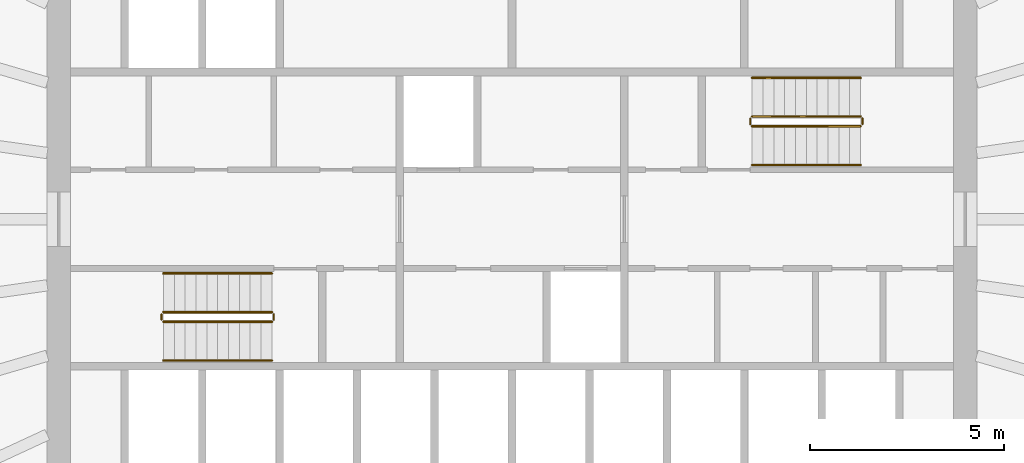
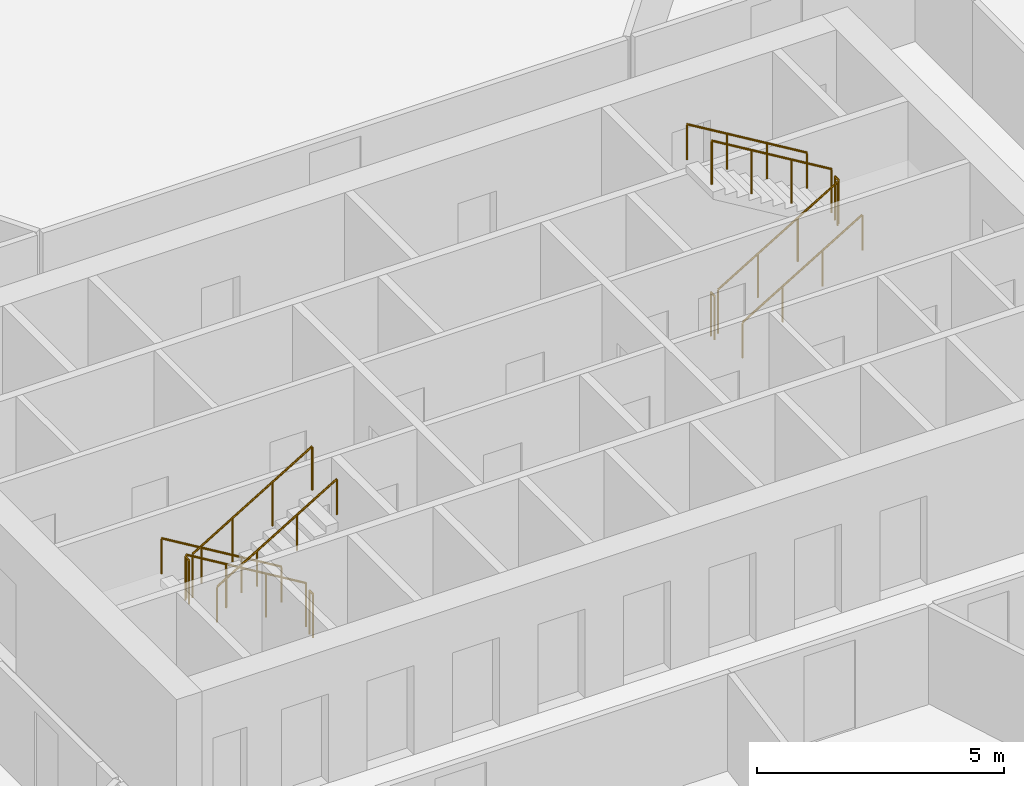
# One storey, part 11 of 11: 12 railings.
"""IFC4 building model written with IfcOpenShell, lengths in metres."""

from ifc_helpers import new_model, si_unit, direction, frame, origin, origin_2d, place, context, subcontext, project, spatial, circle, extrude, material, type_object, element, save


model = new_model("IFC4")

# Units and contexts
model_context = context("Model", 3, precision=1e-05, world=origin(), true_north=direction((0.0, 1.0)))
body_context = subcontext(model_context, "Body", "Model", "MODEL_VIEW")
ifc_project = project(units=[si_unit("LENGTHUNIT", "METRE"), si_unit("AREAUNIT", "SQUARE_METRE"), si_unit("VOLUMEUNIT", "CUBIC_METRE"), si_unit("PLANEANGLEUNIT", "RADIAN"), si_unit("MASSUNIT", "GRAM", prefix="KILO")], contexts=[model_context])

# Site, building, storey
site_placement = place(None, origin())
site = spatial("IfcSite", under=ifc_project, at=site_placement, CompositionType="ELEMENT")
building_placement = place(site_placement, origin())
building = spatial("IfcBuilding", under=site, at=building_placement, Name="Siaravel Broadcast Tower", CompositionType="ELEMENT")
storey_placement = place(building_placement, frame((0.0, 0.0, 77.800048828125)))
storey = spatial("IfcBuildingStorey", under=building, at=storey_placement, Name="L18", CompositionType="ELEMENT", Elevation=77.800048828125)

# Railings
ifc_material = material(Name="Stainless steel 316L", Category="steel")
railing_type_1 = type_object("IfcRailingType", Name="Stair guard 1100", PredefinedType="GUARDRAIL", material=ifc_material)
railing_1_placement = place(storey_placement, frame((-6.199951171875, -2.39990234375, 0.168212890625)))
element("IfcRailing", 1, at=railing_1_placement, inside=storey, type_object=railing_type_1, Name="L18 ST-1 stair guard 1", PredefinedType="GUARDRAIL", context=body_context, shape_type="SweptSolid", body=[
    extrude(circle(Radius=0.02392578125, at=origin_2d()), frame((0.0, 0.0, 1.076171875), z_axis=(-0.857275203, 0.0, 0.514858453), x_axis=(0.0, -1.0, 0.0)), (0.0, 0.0, 1.0), 3.26611328125),
    extrude(circle(Radius=0.02099609375, at=origin_2d()), origin(), (0.0, 0.0, 1.0), 1.052001953125),
    extrude(circle(Radius=0.02099609375, at=origin_2d()), frame((-0.933349609375, 0.0, 0.560546875)), (0.0, 0.0, 1.0), 1.052001953125),
    extrude(circle(Radius=0.02099609375, at=origin_2d()), frame((-1.86669921875, 0.0, 1.12109375)), (0.0, 0.0, 1.0), 1.052001953125),
    extrude(circle(Radius=0.02099609375, at=origin_2d()), frame((-2.800048828125, 0.0, 1.681640625)), (0.0, 0.0, 1.0), 1.052001953125),
])
railing_2_placement = place(storey_placement, frame((-9.050048828125, -2.449951171875, 1.849853515625)))
element("IfcRailing", 2, at=railing_2_placement, inside=storey, type_object=railing_type_1, Name="L18 ST-1 stair guard 2", PredefinedType="GUARDRAIL", context=body_context, shape_type="SweptSolid", body=[
    extrude(circle(Radius=0.02392578125, at=origin_2d()), frame((0.0, 0.0, 1.076171875), z_axis=(0.0, -1.0, 0.0), x_axis=(1.0, 0.0, 0.0)), (0.0, 0.0, 1.0), 0.150146484375),
    extrude(circle(Radius=0.02099609375, at=origin_2d()), origin(), (0.0, 0.0, 1.0), 1.052001953125),
    extrude(circle(Radius=0.02099609375, at=origin_2d()), frame((0.0, -0.150146484375, 0.0)), (0.0, 0.0, 1.0), 1.052001953125),
])
railing_3_placement = place(storey_placement, frame((-9.0, -2.64990234375, 2.01806640625)))
element("IfcRailing", 3, at=railing_3_placement, inside=storey, type_object=railing_type_1, Name="L18 ST-1 stair guard 3", PredefinedType="GUARDRAIL", context=body_context, shape_type="SweptSolid", body=[
    extrude(circle(Radius=0.02392578125, at=origin_2d()), frame((0.0, 0.0, 1.076171875), z_axis=(0.857242211, 0.0, 0.514913383), x_axis=(0.0, 1.0, 0.0)), (0.0, 0.0, 1.0), 3.266357421875),
    extrude(circle(Radius=0.02099609375, at=origin_2d()), origin(), (0.0, 0.0, 1.0), 1.052001953125),
    extrude(circle(Radius=0.02099609375, at=origin_2d()), frame((0.933349609375, 0.0, 0.560546875)), (0.0, 0.0, 1.0), 1.052001953125),
    extrude(circle(Radius=0.02099609375, at=origin_2d()), frame((1.86669921875, 0.0, 1.121337890625)), (0.0, 0.0, 1.0), 1.052001953125),
    extrude(circle(Radius=0.02099609375, at=origin_2d()), frame((2.800048828125, 0.0, 1.681884765625)), (0.0, 0.0, 1.0), 1.052001953125),
])
railing_4_placement = place(storey_placement, frame((-6.14990234375, -2.449951171875, 0.0)))
element("IfcRailing", 4, at=railing_4_placement, inside=storey, type_object=railing_type_1, Name="L18 ST-1 stair guard 4", PredefinedType="GUARDRAIL", context=body_context, shape_type="SweptSolid", body=[
    extrude(circle(Radius=0.02392578125, at=origin_2d()), frame((0.0, 0.0, 1.076171875), z_axis=(0.0, -1.0, 0.0), x_axis=(1.0, 0.0, 0.0)), (0.0, 0.0, 1.0), 0.150146484375),
    extrude(circle(Radius=0.02099609375, at=origin_2d()), origin(), (0.0, 0.0, 1.0), 1.052001953125),
    extrude(circle(Radius=0.02099609375, at=origin_2d()), frame((0.0, -0.150146484375, 0.0)), (0.0, 0.0, 1.0), 1.052001953125),
])
railing_5_placement = place(storey_placement, frame((6.199951171875, 2.39990234375, 0.168212890625)))
element("IfcRailing", 5, at=railing_5_placement, inside=storey, type_object=railing_type_1, Name="L18 ST-2 stair guard 1", PredefinedType="GUARDRAIL", context=body_context, shape_type="SweptSolid", body=[
    extrude(circle(Radius=0.02392578125, at=origin_2d()), frame((0.0, 0.0, 1.076171875), z_axis=(0.857275203, 0.0, 0.514858453), x_axis=(0.0, 1.0, 0.0)), (0.0, 0.0, 1.0), 3.26611328125),
    extrude(circle(Radius=0.02099609375, at=origin_2d()), origin(), (0.0, 0.0, 1.0), 1.052001953125),
    extrude(circle(Radius=0.02099609375, at=origin_2d()), frame((0.933349609375, 0.0, 0.560546875)), (0.0, 0.0, 1.0), 1.052001953125),
    extrude(circle(Radius=0.02099609375, at=origin_2d()), frame((1.86669921875, 0.0, 1.12109375)), (0.0, 0.0, 1.0), 1.052001953125),
    extrude(circle(Radius=0.02099609375, at=origin_2d()), frame((2.800048828125, 0.0, 1.681640625)), (0.0, 0.0, 1.0), 1.052001953125),
])
railing_6_placement = place(storey_placement, frame((9.050048828125, 2.449951171875, 1.849853515625)))
element("IfcRailing", 6, at=railing_6_placement, inside=storey, type_object=railing_type_1, Name="L18 ST-2 stair guard 2", PredefinedType="GUARDRAIL", context=body_context, shape_type="SweptSolid", body=[
    extrude(circle(Radius=0.02392578125, at=origin_2d()), frame((0.0, 0.0, 1.076171875), z_axis=(0.0, 1.0, 0.0), x_axis=(-1.0, 0.0, 0.0)), (0.0, 0.0, 1.0), 0.150146484375),
    extrude(circle(Radius=0.02099609375, at=origin_2d()), origin(), (0.0, 0.0, 1.0), 1.052001953125),
    extrude(circle(Radius=0.02099609375, at=origin_2d()), frame((0.0, 0.150146484375, 0.0)), (0.0, 0.0, 1.0), 1.052001953125),
])
railing_7_placement = place(storey_placement, frame((9.0, 2.64990234375, 2.01806640625)))
element("IfcRailing", 7, at=railing_7_placement, inside=storey, type_object=railing_type_1, Name="L18 ST-2 stair guard 3", PredefinedType="GUARDRAIL", context=body_context, shape_type="SweptSolid", body=[
    extrude(circle(Radius=0.02392578125, at=origin_2d()), frame((0.0, 0.0, 1.076171875), z_axis=(-0.857242211, 0.0, 0.514913383), x_axis=(0.0, -1.0, 0.0)), (0.0, 0.0, 1.0), 3.266357421875),
    extrude(circle(Radius=0.02099609375, at=origin_2d()), origin(), (0.0, 0.0, 1.0), 1.052001953125),
    extrude(circle(Radius=0.02099609375, at=origin_2d()), frame((-0.933349609375, 0.0, 0.560546875)), (0.0, 0.0, 1.0), 1.052001953125),
    extrude(circle(Radius=0.02099609375, at=origin_2d()), frame((-1.86669921875, 0.0, 1.121337890625)), (0.0, 0.0, 1.0), 1.052001953125),
    extrude(circle(Radius=0.02099609375, at=origin_2d()), frame((-2.800048828125, 0.0, 1.681884765625)), (0.0, 0.0, 1.0), 1.052001953125),
])
railing_8_placement = place(storey_placement, frame((6.14990234375, 2.449951171875, 0.0)))
element("IfcRailing", 8, at=railing_8_placement, inside=storey, type_object=railing_type_1, Name="L18 ST-2 stair guard 4", PredefinedType="GUARDRAIL", context=body_context, shape_type="SweptSolid", body=[
    extrude(circle(Radius=0.02392578125, at=origin_2d()), frame((0.0, 0.0, 1.076171875), z_axis=(0.0, 1.0, 0.0), x_axis=(-1.0, 0.0, 0.0)), (0.0, 0.0, 1.0), 0.150146484375),
    extrude(circle(Radius=0.02099609375, at=origin_2d()), origin(), (0.0, 0.0, 1.0), 1.052001953125),
    extrude(circle(Radius=0.02099609375, at=origin_2d()), frame((0.0, 0.150146484375, 0.0)), (0.0, 0.0, 1.0), 1.052001953125),
])
railing_type_2 = type_object("IfcRailingType", Name="Stair handrail 900", PredefinedType="HANDRAIL", material=ifc_material)
railing_9_placement = place(storey_placement, frame((-6.199951171875, -1.39990234375, 0.168212890625)))
element("IfcRailing", 9, at=railing_9_placement, inside=storey, type_object=railing_type_2, Name="L18 ST-1 stair handrail 1", PredefinedType="HANDRAIL", context=body_context, shape_type="SweptSolid", body=[
    extrude(circle(Radius=0.02392578125, at=origin_2d()), frame((0.0, 0.0, 0.8759765625), z_axis=(-0.857275203, 0.0, 0.514858453), x_axis=(0.0, -1.0, 0.0)), (0.0, 0.0, 1.0), 3.26611328125),
    extrude(circle(Radius=0.02099609375, at=origin_2d()), origin(), (0.0, 0.0, 1.0), 0.851806640625),
    extrude(circle(Radius=0.02099609375, at=origin_2d()), frame((-0.933349609375, 0.0, 0.560546875)), (0.0, 0.0, 1.0), 0.851806640625),
    extrude(circle(Radius=0.02099609375, at=origin_2d()), frame((-1.86669921875, 0.0, 1.12109375)), (0.0, 0.0, 1.0), 0.851806640625),
    extrude(circle(Radius=0.02099609375, at=origin_2d()), frame((-2.800048828125, 0.0, 1.681640625)), (0.0, 0.0, 1.0), 0.851806640625),
])
railing_10_placement = place(storey_placement, frame((-9.0, -3.64990234375, 2.01806640625)))
element("IfcRailing", 10, at=railing_10_placement, inside=storey, type_object=railing_type_2, Name="L18 ST-1 stair handrail 2", PredefinedType="HANDRAIL", context=body_context, shape_type="SweptSolid", body=[
    extrude(circle(Radius=0.02392578125, at=origin_2d()), frame((0.0, 0.0, 0.8759765625), z_axis=(0.857242211, 0.0, 0.514913383), x_axis=(0.0, 1.0, 0.0)), (0.0, 0.0, 1.0), 3.266357421875),
    extrude(circle(Radius=0.02099609375, at=origin_2d()), origin(), (0.0, 0.0, 1.0), 0.851806640625),
    extrude(circle(Radius=0.02099609375, at=origin_2d()), frame((0.933349609375, 0.0, 0.560546875)), (0.0, 0.0, 1.0), 0.851806640625),
    extrude(circle(Radius=0.02099609375, at=origin_2d()), frame((1.86669921875, 0.0, 1.121337890625)), (0.0, 0.0, 1.0), 0.851806640625),
    extrude(circle(Radius=0.02099609375, at=origin_2d()), frame((2.800048828125, 0.0, 1.681884765625)), (0.0, 0.0, 1.0), 0.851806640625),
])
railing_11_placement = place(storey_placement, frame((6.199951171875, 1.39990234375, 0.168212890625)))
element("IfcRailing", 11, at=railing_11_placement, inside=storey, type_object=railing_type_2, Name="L18 ST-2 stair handrail 1", PredefinedType="HANDRAIL", context=body_context, shape_type="SweptSolid", body=[
    extrude(circle(Radius=0.02392578125, at=origin_2d()), frame((0.0, 0.0, 0.8759765625), z_axis=(0.857275203, 0.0, 0.514858453), x_axis=(0.0, 1.0, 0.0)), (0.0, 0.0, 1.0), 3.26611328125),
    extrude(circle(Radius=0.02099609375, at=origin_2d()), origin(), (0.0, 0.0, 1.0), 0.851806640625),
    extrude(circle(Radius=0.02099609375, at=origin_2d()), frame((0.933349609375, 0.0, 0.560546875)), (0.0, 0.0, 1.0), 0.851806640625),
    extrude(circle(Radius=0.02099609375, at=origin_2d()), frame((1.86669921875, 0.0, 1.12109375)), (0.0, 0.0, 1.0), 0.851806640625),
    extrude(circle(Radius=0.02099609375, at=origin_2d()), frame((2.800048828125, 0.0, 1.681640625)), (0.0, 0.0, 1.0), 0.851806640625),
])
railing_12_placement = place(storey_placement, frame((9.0, 3.64990234375, 2.01806640625)))
element("IfcRailing", 12, at=railing_12_placement, inside=storey, type_object=railing_type_2, Name="L18 ST-2 stair handrail 2", PredefinedType="HANDRAIL", context=body_context, shape_type="SweptSolid", body=[
    extrude(circle(Radius=0.02392578125, at=origin_2d()), frame((0.0, 0.0, 0.8759765625), z_axis=(-0.857242211, 0.0, 0.514913383), x_axis=(0.0, -1.0, 0.0)), (0.0, 0.0, 1.0), 3.266357421875),
    extrude(circle(Radius=0.02099609375, at=origin_2d()), origin(), (0.0, 0.0, 1.0), 0.851806640625),
    extrude(circle(Radius=0.02099609375, at=origin_2d()), frame((-0.933349609375, 0.0, 0.560546875)), (0.0, 0.0, 1.0), 0.851806640625),
    extrude(circle(Radius=0.02099609375, at=origin_2d()), frame((-1.86669921875, 0.0, 1.121337890625)), (0.0, 0.0, 1.0), 0.851806640625),
    extrude(circle(Radius=0.02099609375, at=origin_2d()), frame((-2.800048828125, 0.0, 1.681884765625)), (0.0, 0.0, 1.0), 0.851806640625),
])

save(model, "model.ifc")
